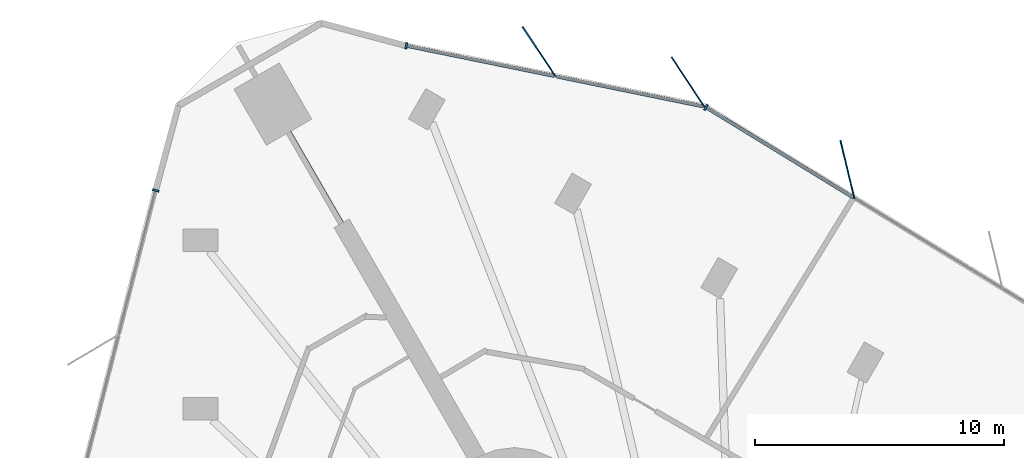
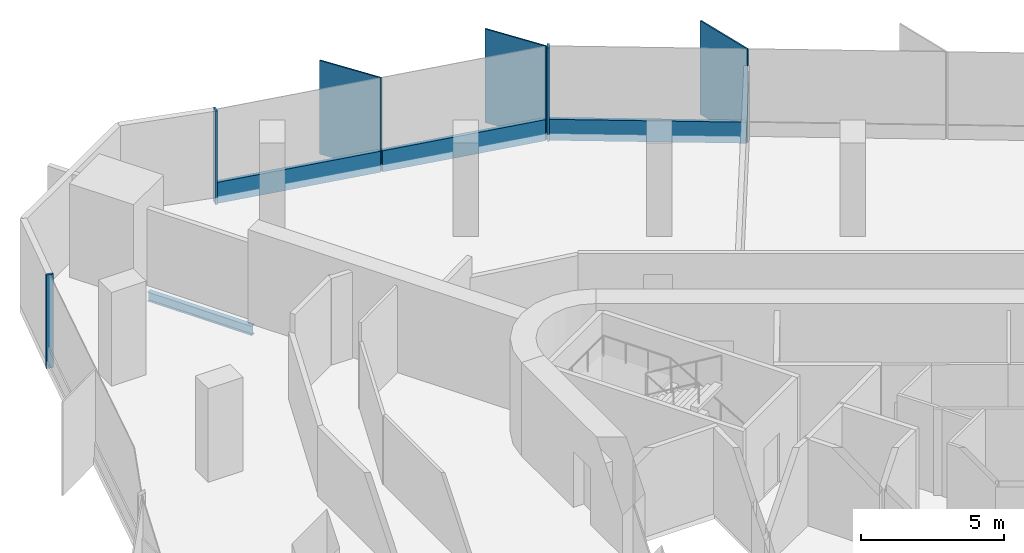
# One storey, part 6 of 14: 9 members, 1 beam, 3 elements without a shape of their own.
"""IFC4 building model written with IfcOpenShell, lengths in metres."""

import ifcopenshell
import ifcopenshell.guid

model = None  # the IFC model being written
_history = None  # IfcOwnerHistory: only IFC2X3 demands one
_inside = {}  # id of a spatial element -> (the spatial element, [elements in it])
_under = {}  # id of a project, library or spatial element -> (it, [spatial elements below it])
_declared = {}  # id of a project -> (the project, [libraries it declares])
_typed = {}  # id of a type object -> (the type object, [elements of that type])
_made_of = {}  # id of a material, layer set ... -> (it, [elements and type objects made of it])


def new_model(schema):
    """Start an empty IFC model of exactly this schema.

    Asked for "IFC4X3", IfcOpenShell would pick the latest addendum, in which some entities
    have other attributes; the version numbers below select the first issue.
    IFC2X3 requires an IfcOwnerHistory on every rooted entity: one is made here for all.
    """
    global model, _history
    if schema == "IFC4X3":
        model = ifcopenshell.file(schema_version=(4, 3, 0, 0))
    else:
        model = ifcopenshell.file(schema=schema)
    _inside.clear()
    _under.clear()
    _declared.clear()
    _typed.clear()
    _made_of.clear()
    _history = None
    if model.schema == "IFC2X3":
        org = make("IfcOrganization", Name="unknown")
        user = make(
            "IfcPersonAndOrganization",
            ThePerson=make("IfcPerson", FamilyName="unknown"),
            TheOrganization=org,
        )
        app = make(
            "IfcApplication",
            ApplicationDeveloper=org,
            Version="unknown",
            ApplicationFullName="unknown",
            ApplicationIdentifier="unknown",
        )
        _history = make(
            "IfcOwnerHistory",
            OwningUser=user,
            OwningApplication=app,
            ChangeAction="ADDED",
            CreationDate=0,
        )
    return model


def make(cls, **values):
    """One entity of the class cls with the attributes given. An attribute that is None is left unset."""
    return model.create_entity(
        cls, **{name: value for name, value in values.items() if value is not None}
    )


def rooted(cls, **values):
    """An entity with a GlobalId (a new one), such as an element, a storey or a relation."""
    return make(cls, GlobalId=ifcopenshell.guid.new(), OwnerHistory=_history, **values)


def si_unit(unit_type, name, prefix=None):
    """IfcSIUnit, for example si_unit("LENGTHUNIT", "METRE", prefix="MILLI")."""
    return make("IfcSIUnit", UnitType=unit_type, Prefix=prefix, Name=name)


def assignment(units):
    """IfcUnitAssignment: the units of a project."""
    return None if units is None else make("IfcUnitAssignment", Units=units)


def point(xyz):
    """IfcCartesianPoint."""
    return None if xyz is None else make("IfcCartesianPoint", Coordinates=xyz)


def direction(xyz):
    """IfcDirection."""
    return None if xyz is None else make("IfcDirection", DirectionRatios=xyz)


def frame(location, z_axis=None, x_axis=None):
    """IfcAxis2Placement3D, a coordinate frame: its origin and axes. An axis left out is left unset."""
    return make(
        "IfcAxis2Placement3D",
        Location=point(location),
        Axis=direction(z_axis),
        RefDirection=direction(x_axis),
    )


def frame_2d(location, x_axis=None):
    """IfcAxis2Placement2D, a coordinate frame in the plane: its origin and x axis."""
    return make(
        "IfcAxis2Placement2D", Location=point(location), RefDirection=direction(x_axis)
    )


def origin():
    """The frame at (0, 0, 0) with its axes left unset."""
    return frame((0.0, 0.0, 0.0))


def origin_2d():
    """The frame at (0, 0) in the plane with its x axis left unset."""
    return frame_2d((0.0, 0.0))


def place(relative_to, where):
    """IfcLocalPlacement: puts the frame where relative to a parent placement (None: the world)."""
    return make(
        "IfcLocalPlacement", PlacementRelTo=relative_to, RelativePlacement=where
    )


def context(
    kind, dimensions, precision=None, world=None, true_north=None, identifier=None
):
    """IfcGeometricRepresentationContext, for example the 3D "Model" context."""
    return make(
        "IfcGeometricRepresentationContext",
        ContextIdentifier=identifier,
        ContextType=kind,
        CoordinateSpaceDimension=dimensions,
        Precision=precision,
        WorldCoordinateSystem=world,
        TrueNorth=true_north,
    )


def subcontext(parent, identifier, kind, view, scale=None):
    """IfcGeometricRepresentationSubContext, for example "Body" below "Model"."""
    return make(
        "IfcGeometricRepresentationSubContext",
        ContextIdentifier=identifier,
        ContextType=kind,
        ParentContext=parent,
        TargetScale=scale,
        TargetView=view,
    )


def project(units=None, contexts=None):
    """IfcProject with its units and contexts."""
    return rooted(
        "IfcProject",
        Name="project",
        RepresentationContexts=contexts,
        UnitsInContext=assignment(units),
    )


def spatial(cls, under=None, at=None, **own):
    """A site, building, storey or space (cls), placed at a placement, below another one or the project."""
    s = rooted(cls, ObjectPlacement=at, **own)
    if under is not None:
        _under.setdefault(under.id(), (under, []))[1].append(s)
    return s


def profile(cls, at=None, kind="AREA", **sizes):
    """A parametric profile (cls). Its sizes go by their IFC names, for example OverallWidth=200.0."""
    return make(cls, ProfileType=kind, Position=at, **sizes)


def rectangle(**sizes):
    """IfcRectangleProfileDef."""
    return profile("IfcRectangleProfileDef", **sizes)


def i_section(**sizes):
    """IfcIShapeProfileDef."""
    return profile("IfcIShapeProfileDef", **sizes)


def extrude(swept, where, along, depth):
    """IfcExtrudedAreaSolid: the profile swept, set in the frame where, extruded along a direction by depth."""
    return make(
        "IfcExtrudedAreaSolid",
        SweptArea=swept,
        Position=where,
        ExtrudedDirection=direction(along),
        Depth=depth,
    )


def shape(context_of_items, identifier, shape_type, items):
    """IfcShapeRepresentation: the items that make up one representation, for example the "Body"."""
    return make(
        "IfcShapeRepresentation",
        ContextOfItems=context_of_items,
        RepresentationIdentifier=identifier,
        RepresentationType=shape_type,
        Items=items,
    )


def material(Name=None, Category=None):
    """IfcMaterial."""
    return make("IfcMaterial", Name=Name, Category=Category)


def material_profile(
    of_material, cross_section, Name=None, Category=None, Priority=None
):
    """IfcMaterialProfile: a cross section and its material."""
    return make(
        "IfcMaterialProfile",
        Name=Name,
        Material=of_material,
        Profile=cross_section,
        Priority=Priority,
        Category=Category,
    )


def profile_set(profiles, Name=None, composite=None):
    """IfcMaterialProfileSet."""
    return make(
        "IfcMaterialProfileSet",
        Name=Name,
        MaterialProfiles=profiles,
        CompositeProfile=composite,
    )


def made_of(thing, what):
    """Note that an element or type object is made of a material, layer set ...; save() writes the relation."""
    if what is not None:
        _made_of.setdefault(what.id(), (what, []))[1].append(thing)
    return thing


def type_object(cls, material=None, **own):
    """A type object (cls), such as IfcWallType, which elements share."""
    return made_of(rooted(cls, **own), material)


def element(
    cls,
    number,
    at=None,
    inside=None,
    cuts=None,
    type_object=None,
    material=None,
    context=None,
    identifier="Body",
    shape_type=None,
    held_by="IfcProductDefinitionShape",
    body=None,
    shapes=None,
    **own,
):
    """One element of the class cls, such as IfcWall. Its Tag is "e" and its number.

    at: its placement. inside: the storey or other place that contains it. cuts: it is an
    opening in that element (IfcRelVoidsElement). A single representation is given by context,
    identifier, shape_type and body (its items); several are given by shapes. held_by: the class
    of the entity that holds the representations. save() writes the other relations.
    """
    e = rooted(cls, Tag="e%d" % number, ObjectPlacement=at, **own)
    if body is not None:
        shapes = [shape(context, identifier, shape_type, body)]
    if shapes is not None:
        e.Representation = make(held_by, Representations=shapes)
    if inside is not None:
        _inside.setdefault(inside.id(), (inside, []))[1].append(e)
    if cuts is not None:
        rooted(
            "IfcRelVoidsElement", RelatingBuildingElement=cuts, RelatedOpeningElement=e
        )
    if type_object is not None:
        _typed.setdefault(type_object.id(), (type_object, []))[1].append(e)
    return made_of(e, material)


def aggregate(whole, parts):
    """IfcRelAggregates: a whole, such as a stair, and the parts it consists of."""
    return rooted("IfcRelAggregates", RelatingObject=whole, RelatedObjects=parts)


def save(model, path):
    """Write the relations noted so far, then the file.

    IfcRelAggregates (storeys below a building ...), IfcRelContainedInSpatialStructure (elements
    in a storey), IfcRelDefinesByType, IfcRelAssociatesMaterial and IfcRelDeclares: one each for
    every whole, place, type object, material and project.
    """
    for whole, parts in _under.values():
        aggregate(whole, parts)
    for where, things in _inside.values():
        rooted(
            "IfcRelContainedInSpatialStructure",
            RelatedElements=things,
            RelatingStructure=where,
        )
    for kind, things in _typed.values():
        rooted("IfcRelDefinesByType", RelatedObjects=things, RelatingType=kind)
    for what, things in _made_of.values():
        rooted("IfcRelAssociatesMaterial", RelatedObjects=things, RelatingMaterial=what)
    for by, libraries in _declared.values():
        rooted("IfcRelDeclares", RelatingContext=by, RelatedDefinitions=libraries)
    model.write(path)


model = new_model("IFC4")

# Units and contexts
model_context = context("Model", 3, precision=1e-05, world=origin(), true_north=direction((0.0, 1.0)))
body_context = subcontext(model_context, "Body", "Model", "MODEL_VIEW")
ifc_project = project(units=[si_unit("LENGTHUNIT", "METRE"), si_unit("AREAUNIT", "SQUARE_METRE"), si_unit("VOLUMEUNIT", "CUBIC_METRE"), si_unit("PLANEANGLEUNIT", "RADIAN"), si_unit("MASSUNIT", "GRAM", prefix="KILO")], contexts=[model_context])

# Site, building, storey
site_placement = place(None, origin())
site = spatial("IfcSite", under=ifc_project, at=site_placement, CompositionType="ELEMENT")
building_placement = place(site_placement, origin())
building = spatial("IfcBuilding", under=site, at=building_placement, Name="Tanit Gate Tower", CompositionType="ELEMENT")
storey_placement = place(building_placement, frame((0.0, 0.0, 249.199951171875)))
storey = spatial("IfcBuildingStorey", under=building, at=storey_placement, Name="L56", CompositionType="ELEMENT", Elevation=249.199951171875)

# Curtain wall, member
ifc_material_1 = material(Name="Aluminium bronze anodised and glass", Category="aluminium")
curtain_wall_type = type_object("IfcCurtainWallType", Name="Curtain wall typical mid", PredefinedType="NOTDEFINED", material=ifc_material_1)
curtain_wall_1_placement = place(storey_placement, origin())
curtain_wall_1 = element("IfcCurtainWall", 1, at=curtain_wall_1_placement, inside=storey, type_object=curtain_wall_type, Name="Curtain wall L56 NE2", PredefinedType="NOTDEFINED")
ifc_material_2 = material(Name="Aluminium bronze anodised", Category="aluminium")
ifc_material_profile_1 = material_profile(ifc_material_2, rectangle(XDim=2.39990234375, YDim=0.055908203125, at=origin_2d()), Name="56x2400 bronze fin mullion")
ifc_profile_set_1 = profile_set([ifc_material_profile_1], Name="Aluminium bronze anodised")
member_type_1 = type_object("IfcMemberType", Name="FIN MULLION 56x2400 bronze", PredefinedType="MULLION", material=ifc_profile_set_1)
member_1_placement = place(storey_placement, frame((4.259521484375, 29.914794921875, -0.300048828125), z_axis=(0.0, 0.0, 1.0), x_axis=(0.233691416098, -0.972310815553, 0.0)))
member_1 = element("IfcMember", 2, at=member_1_placement, type_object=member_type_1, Name="Fin mullion L56 NE2.5", PredefinedType="MULLION", context=body_context, shape_type="SweptSolid", body=[
    extrude(rectangle(XDim=2.39990234375, YDim=0.055908203125, at=origin_2d()), origin(), (0.0, 0.0, 1.0), 4.0),
])

# Curtain wall, members
curtain_wall_2_placement = place(storey_placement, origin())
curtain_wall_2 = element("IfcCurtainWall", 3, at=curtain_wall_2_placement, inside=storey, type_object=curtain_wall_type, Name="Curtain wall L56 NE3", PredefinedType="NOTDEFINED")
member_2_placement = place(storey_placement, frame((-2.135498046875, 33.423583984375, -0.300048828125), z_axis=(0.0, 0.0, 1.0), x_axis=(0.551315267276, -0.834296995121, 0.0)))
member_2 = element("IfcMember", 4, at=member_2_placement, type_object=member_type_1, Name="Fin mullion L56 NE3.1", PredefinedType="MULLION", context=body_context, shape_type="SweptSolid", body=[
    extrude(rectangle(XDim=2.39990234375, YDim=0.055908203125, at=origin_2d()), origin(), (0.0, 0.0, 1.0), 4.0),
])
member_3_placement = place(storey_placement, frame((-8.1083984375, 34.643310546875, -0.300048828125), z_axis=(0.0, 0.0, 1.0), x_axis=(0.551315267276, -0.834296995121, 0.0)))
member_3 = element("IfcMember", 5, at=member_3_placement, type_object=member_type_1, Name="Fin mullion L56 NE3.2", PredefinedType="MULLION", context=body_context, shape_type="SweptSolid", body=[
    extrude(rectangle(XDim=2.39990234375, YDim=0.055908203125, at=origin_2d()), origin(), (0.0, 0.0, 1.0), 4.0),
])

# Member
ifc_material_3 = material(Name="Aluminium bronze anodised", Category="aluminium")
ifc_material_profile_2 = material_profile(ifc_material_3, rectangle(XDim=0.260009765625, YDim=0.080078125, at=origin_2d()), Name="80x260 bronze mullion")
ifc_profile_set_2 = profile_set([ifc_material_profile_2], Name="Aluminium bronze anodised")
member_type_2 = type_object("IfcMemberType", Name="Mullion 80x260 typical mid", PredefinedType="MULLION", material=ifc_profile_set_2)
member_4_placement = place(storey_placement, frame((-1.412353515625, 32.4111328125, -0.300048828125), z_axis=(0.0, 0.0, 1.0), x_axis=(-0.522282786071, -0.852772356127, 0.0)))
member_4 = element("IfcMember", 6, at=member_4_placement, type_object=member_type_2, Name="Mullion L56 NE2.6", PredefinedType="MULLION", context=body_context, shape_type="SweptSolid", body=[
    extrude(rectangle(XDim=0.260009765625, YDim=0.080078125, at=origin_2d()), origin(), (0.0, 0.0, 1.0), 4.0),
])

member_5_placement = place(storey_placement, frame((-13.431640625, 34.879638671875, -0.300048828125), z_axis=(0.0, 0.0, 1.0), x_axis=(-0.200098298711, -0.979775826836, 0.0)))
member_5 = element("IfcMember", 7, at=member_5_placement, type_object=member_type_2, Name="Mullion L56 NE3.3", PredefinedType="MULLION", context=body_context, shape_type="SweptSolid", body=[
    extrude(rectangle(XDim=0.260009765625, YDim=0.080078125, at=origin_2d()), origin(), (0.0, 0.0, 1.0), 4.0),
])

# Curtain wall, member
curtain_wall_3_placement = place(storey_placement, origin())
curtain_wall_3 = element("IfcCurtainWall", 8, at=curtain_wall_3_placement, inside=storey, type_object=curtain_wall_type, Name="Curtain wall L56 W1", PredefinedType="NOTDEFINED")
member_6_placement = place(storey_placement, frame((-23.487060546875, 29.0751953125, -0.300048828125), z_axis=(0.0, 0.0, 1.0), x_axis=(0.968766723298, -0.247973861182, 0.0)))
member_6 = element("IfcMember", 9, at=member_6_placement, type_object=member_type_2, Name="Mullion L56 W1.1", PredefinedType="MULLION", context=body_context, shape_type="SweptSolid", body=[
    extrude(rectangle(XDim=0.260009765625, YDim=0.080078125, at=origin_2d()), origin(), (0.0, 0.0, 1.0), 4.0),
])
aggregate(curtain_wall_3, [member_6])

# Beam
ifc_material_4 = material(Name="Steel S355", Category="steel")
ifc_material_profile_3 = material_profile(ifc_material_4, i_section(OverallWidth=0.179931640625, OverallDepth=0.39990234375, WebThickness=0.008544921875, FlangeThickness=0.013427734375, FilletRadius=0.02099609375, at=origin_2d()), Name="IPE 400")
ifc_profile_set_3 = profile_set([ifc_material_profile_3], Name="Steel S355")
beam_type = type_object("IfcBeamType", Name="RADIAL GIRDER IPE 400 S355", PredefinedType="BEAM", material=ifc_profile_set_3)
beam_placement = place(storey_placement, frame((-18.135009765625, 31.41064453125, -0.5), z_axis=(0.500009597358, -0.866019862676, 0.0), x_axis=(0.866019862676, 0.500009597358, 0.0)))
element("IfcBeam", 10, at=beam_placement, inside=storey, type_object=beam_type, Name="RADIAL GIRDER", PredefinedType="BEAM", context=body_context, shape_type="SweptSolid", body=[
    extrude(i_section(OverallWidth=0.179931640625, OverallDepth=0.39990234375, WebThickness=0.008544921875, FlangeThickness=0.013427734375, FilletRadius=0.02099609375, at=origin_2d()), origin(), (0.0, 0.0, 1.0), 4.2197265625),
])

# Member
ifc_material_5 = material(Name="Aluminium bronze anodised", Category="aluminium")
ifc_material_profile_4 = material_profile(ifc_material_5, rectangle(XDim=0.139892578125, YDim=0.89990234375, at=origin_2d()), Name="140x900 bronze transom")
ifc_profile_set_4 = profile_set([ifc_material_profile_4], Name="Aluminium bronze anodised")
member_type_3 = type_object("IfcMemberType", Name="Transom 140x900 typical mid", PredefinedType="USERDEFINED", material=ifc_profile_set_4)
member_7_placement = place(storey_placement, frame((4.500732421875, 28.78955078125, 0.150146484375), z_axis=(-0.852770188009, 0.522286326111, 0.0), x_axis=(-0.522286326111, -0.852770188009, 0.0)))
member_7 = element("IfcMember", 11, at=member_7_placement, type_object=member_type_3, Name="Transom L56 NE2.5", ObjectType="TRANSOM", PredefinedType="USERDEFINED", context=body_context, shape_type="SweptSolid", body=[
    extrude(rectangle(XDim=0.139892578125, YDim=0.89990234375, at=origin_2d()), origin(), (0.0, 0.0, 1.0), 6.893798828125),
])

aggregate(curtain_wall_1, [member_1, member_4, member_7])

member_8_placement = place(storey_placement, frame((-1.52490234375, 32.447998046875, 0.150146484375), z_axis=(-0.979775004442, 0.200102325501, 0.0), x_axis=(-0.200102325501, -0.979775004442, 0.0)))
member_8 = element("IfcMember", 12, at=member_8_placement, type_object=member_type_3, Name="Transom L56 NE3.1", ObjectType="TRANSOM", PredefinedType="USERDEFINED", context=body_context, shape_type="SweptSolid", body=[
    extrude(rectangle(XDim=0.139892578125, YDim=0.89990234375, at=origin_2d()), origin(), (0.0, 0.0, 1.0), 6.01611328125),
])

member_9_placement = place(storey_placement, frame((-7.497802734375, 33.66796875, 0.150146484375), z_axis=(-0.979775004442, 0.200102325501, 0.0), x_axis=(-0.200102325501, -0.979775004442, 0.0)))
member_9 = element("IfcMember", 13, at=member_9_placement, type_object=member_type_3, Name="Transom L56 NE3.2", ObjectType="TRANSOM", PredefinedType="USERDEFINED", context=body_context, shape_type="SweptSolid", body=[
    extrude(rectangle(XDim=0.139892578125, YDim=0.89990234375, at=origin_2d()), origin(), (0.0, 0.0, 1.0), 6.01611328125),
])

aggregate(curtain_wall_2, [member_2, member_3, member_5, member_8, member_9])

save(model, "model.ifc")
